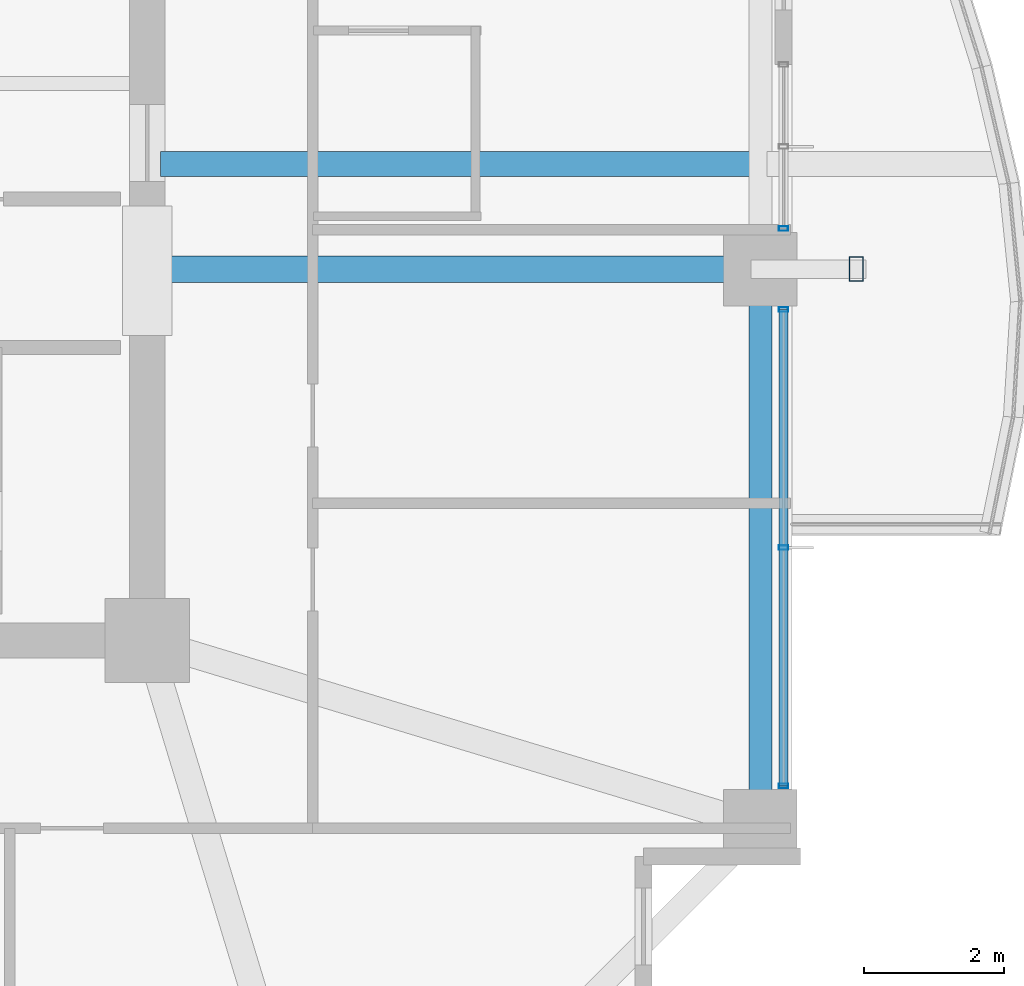
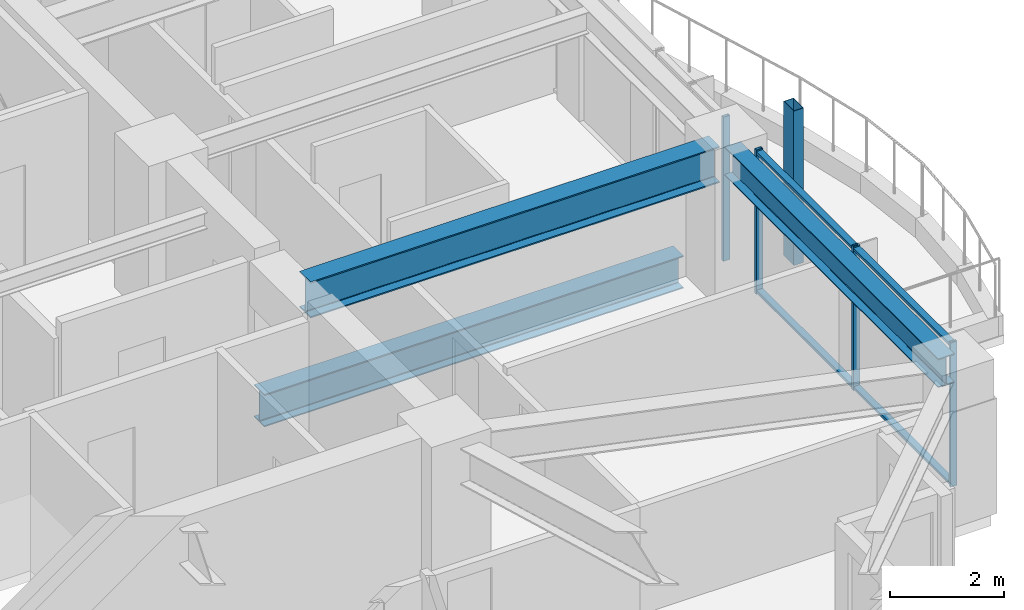
# One storey, part 14 of 35: 7 members, 3 beams, 2 elements without a shape of their own.
"""IFC4 building model written with IfcOpenShell, lengths in metres."""

import ifcopenshell
import ifcopenshell.guid

model = None  # the IFC model being written
_history = None  # IfcOwnerHistory: only IFC2X3 demands one
_inside = {}  # id of a spatial element -> (the spatial element, [elements in it])
_under = {}  # id of a project, library or spatial element -> (it, [spatial elements below it])
_declared = {}  # id of a project -> (the project, [libraries it declares])
_typed = {}  # id of a type object -> (the type object, [elements of that type])
_made_of = {}  # id of a material, layer set ... -> (it, [elements and type objects made of it])


def new_model(schema):
    """Start an empty IFC model of exactly this schema.

    Asked for "IFC4X3", IfcOpenShell would pick the latest addendum, in which some entities
    have other attributes; the version numbers below select the first issue.
    IFC2X3 requires an IfcOwnerHistory on every rooted entity: one is made here for all.
    """
    global model, _history
    if schema == "IFC4X3":
        model = ifcopenshell.file(schema_version=(4, 3, 0, 0))
    else:
        model = ifcopenshell.file(schema=schema)
    _inside.clear()
    _under.clear()
    _declared.clear()
    _typed.clear()
    _made_of.clear()
    _history = None
    if model.schema == "IFC2X3":
        org = make("IfcOrganization", Name="unknown")
        user = make(
            "IfcPersonAndOrganization",
            ThePerson=make("IfcPerson", FamilyName="unknown"),
            TheOrganization=org,
        )
        app = make(
            "IfcApplication",
            ApplicationDeveloper=org,
            Version="unknown",
            ApplicationFullName="unknown",
            ApplicationIdentifier="unknown",
        )
        _history = make(
            "IfcOwnerHistory",
            OwningUser=user,
            OwningApplication=app,
            ChangeAction="ADDED",
            CreationDate=0,
        )
    return model


def make(cls, **values):
    """One entity of the class cls with the attributes given. An attribute that is None is left unset."""
    return model.create_entity(
        cls, **{name: value for name, value in values.items() if value is not None}
    )


def rooted(cls, **values):
    """An entity with a GlobalId (a new one), such as an element, a storey or a relation."""
    return make(cls, GlobalId=ifcopenshell.guid.new(), OwnerHistory=_history, **values)


def si_unit(unit_type, name, prefix=None):
    """IfcSIUnit, for example si_unit("LENGTHUNIT", "METRE", prefix="MILLI")."""
    return make("IfcSIUnit", UnitType=unit_type, Prefix=prefix, Name=name)


def assignment(units):
    """IfcUnitAssignment: the units of a project."""
    return None if units is None else make("IfcUnitAssignment", Units=units)


def point(xyz):
    """IfcCartesianPoint."""
    return None if xyz is None else make("IfcCartesianPoint", Coordinates=xyz)


def direction(xyz):
    """IfcDirection."""
    return None if xyz is None else make("IfcDirection", DirectionRatios=xyz)


def frame(location, z_axis=None, x_axis=None):
    """IfcAxis2Placement3D, a coordinate frame: its origin and axes. An axis left out is left unset."""
    return make(
        "IfcAxis2Placement3D",
        Location=point(location),
        Axis=direction(z_axis),
        RefDirection=direction(x_axis),
    )


def frame_2d(location, x_axis=None):
    """IfcAxis2Placement2D, a coordinate frame in the plane: its origin and x axis."""
    return make(
        "IfcAxis2Placement2D", Location=point(location), RefDirection=direction(x_axis)
    )


def origin():
    """The frame at (0, 0, 0) with its axes left unset."""
    return frame((0.0, 0.0, 0.0))


def origin_2d():
    """The frame at (0, 0) in the plane with its x axis left unset."""
    return frame_2d((0.0, 0.0))


def place(relative_to, where):
    """IfcLocalPlacement: puts the frame where relative to a parent placement (None: the world)."""
    return make(
        "IfcLocalPlacement", PlacementRelTo=relative_to, RelativePlacement=where
    )


def context(
    kind, dimensions, precision=None, world=None, true_north=None, identifier=None
):
    """IfcGeometricRepresentationContext, for example the 3D "Model" context."""
    return make(
        "IfcGeometricRepresentationContext",
        ContextIdentifier=identifier,
        ContextType=kind,
        CoordinateSpaceDimension=dimensions,
        Precision=precision,
        WorldCoordinateSystem=world,
        TrueNorth=true_north,
    )


def subcontext(parent, identifier, kind, view, scale=None):
    """IfcGeometricRepresentationSubContext, for example "Body" below "Model"."""
    return make(
        "IfcGeometricRepresentationSubContext",
        ContextIdentifier=identifier,
        ContextType=kind,
        ParentContext=parent,
        TargetScale=scale,
        TargetView=view,
    )


def project(units=None, contexts=None):
    """IfcProject with its units and contexts."""
    return rooted(
        "IfcProject",
        Name="project",
        RepresentationContexts=contexts,
        UnitsInContext=assignment(units),
    )


def spatial(cls, under=None, at=None, **own):
    """A site, building, storey or space (cls), placed at a placement, below another one or the project."""
    s = rooted(cls, ObjectPlacement=at, **own)
    if under is not None:
        _under.setdefault(under.id(), (under, []))[1].append(s)
    return s


def profile(cls, at=None, kind="AREA", **sizes):
    """A parametric profile (cls). Its sizes go by their IFC names, for example OverallWidth=200.0."""
    return make(cls, ProfileType=kind, Position=at, **sizes)


def hollow_rectangle(**sizes):
    """IfcRectangleHollowProfileDef."""
    return profile("IfcRectangleHollowProfileDef", **sizes)


def i_section(**sizes):
    """IfcIShapeProfileDef."""
    return profile("IfcIShapeProfileDef", **sizes)


def extrude(swept, where, along, depth):
    """IfcExtrudedAreaSolid: the profile swept, set in the frame where, extruded along a direction by depth."""
    return make(
        "IfcExtrudedAreaSolid",
        SweptArea=swept,
        Position=where,
        ExtrudedDirection=direction(along),
        Depth=depth,
    )


def shape(context_of_items, identifier, shape_type, items):
    """IfcShapeRepresentation: the items that make up one representation, for example the "Body"."""
    return make(
        "IfcShapeRepresentation",
        ContextOfItems=context_of_items,
        RepresentationIdentifier=identifier,
        RepresentationType=shape_type,
        Items=items,
    )


def material(Name=None, Category=None):
    """IfcMaterial."""
    return make("IfcMaterial", Name=Name, Category=Category)


def material_profile(
    of_material, cross_section, Name=None, Category=None, Priority=None
):
    """IfcMaterialProfile: a cross section and its material."""
    return make(
        "IfcMaterialProfile",
        Name=Name,
        Material=of_material,
        Profile=cross_section,
        Priority=Priority,
        Category=Category,
    )


def profile_set(profiles, Name=None, composite=None):
    """IfcMaterialProfileSet."""
    return make(
        "IfcMaterialProfileSet",
        Name=Name,
        MaterialProfiles=profiles,
        CompositeProfile=composite,
    )


def made_of(thing, what):
    """Note that an element or type object is made of a material, layer set ...; save() writes the relation."""
    if what is not None:
        _made_of.setdefault(what.id(), (what, []))[1].append(thing)
    return thing


def type_object(cls, material=None, **own):
    """A type object (cls), such as IfcWallType, which elements share."""
    return made_of(rooted(cls, **own), material)


def element(
    cls,
    number,
    at=None,
    inside=None,
    cuts=None,
    type_object=None,
    material=None,
    context=None,
    identifier="Body",
    shape_type=None,
    held_by="IfcProductDefinitionShape",
    body=None,
    shapes=None,
    **own,
):
    """One element of the class cls, such as IfcWall. Its Tag is "e" and its number.

    at: its placement. inside: the storey or other place that contains it. cuts: it is an
    opening in that element (IfcRelVoidsElement). A single representation is given by context,
    identifier, shape_type and body (its items); several are given by shapes. held_by: the class
    of the entity that holds the representations. save() writes the other relations.
    """
    e = rooted(cls, Tag="e%d" % number, ObjectPlacement=at, **own)
    if body is not None:
        shapes = [shape(context, identifier, shape_type, body)]
    if shapes is not None:
        e.Representation = make(held_by, Representations=shapes)
    if inside is not None:
        _inside.setdefault(inside.id(), (inside, []))[1].append(e)
    if cuts is not None:
        rooted(
            "IfcRelVoidsElement", RelatingBuildingElement=cuts, RelatedOpeningElement=e
        )
    if type_object is not None:
        _typed.setdefault(type_object.id(), (type_object, []))[1].append(e)
    return made_of(e, material)


def aggregate(whole, parts):
    """IfcRelAggregates: a whole, such as a stair, and the parts it consists of."""
    return rooted("IfcRelAggregates", RelatingObject=whole, RelatedObjects=parts)


def save(model, path):
    """Write the relations noted so far, then the file.

    IfcRelAggregates (storeys below a building ...), IfcRelContainedInSpatialStructure (elements
    in a storey), IfcRelDefinesByType, IfcRelAssociatesMaterial and IfcRelDeclares: one each for
    every whole, place, type object, material and project.
    """
    for whole, parts in _under.values():
        aggregate(whole, parts)
    for where, things in _inside.values():
        rooted(
            "IfcRelContainedInSpatialStructure",
            RelatedElements=things,
            RelatingStructure=where,
        )
    for kind, things in _typed.values():
        rooted("IfcRelDefinesByType", RelatedObjects=things, RelatingType=kind)
    for what, things in _made_of.values():
        rooted("IfcRelAssociatesMaterial", RelatedObjects=things, RelatingMaterial=what)
    for by, libraries in _declared.values():
        rooted("IfcRelDeclares", RelatingContext=by, RelatedDefinitions=libraries)
    model.write(path)


model = new_model("IFC4")

# Units and contexts
model_context = context("Model", 3, precision=1e-05, world=origin(), true_north=direction((0.0, 1.0)))
body_context = subcontext(model_context, "Body", "Model", "MODEL_VIEW")
ifc_project = project(units=[si_unit("LENGTHUNIT", "METRE"), si_unit("AREAUNIT", "SQUARE_METRE"), si_unit("VOLUMEUNIT", "CUBIC_METRE"), si_unit("PLANEANGLEUNIT", "RADIAN"), si_unit("MASSUNIT", "GRAM", prefix="KILO")], contexts=[model_context])

# Site, building, storey
site_placement = place(None, origin())
site = spatial("IfcSite", under=ifc_project, at=site_placement, CompositionType="ELEMENT")
building_placement = place(site_placement, origin())
building = spatial("IfcBuilding", under=site, at=building_placement, Name="Kolvaren Belvedere", CompositionType="ELEMENT")
storey_placement = place(building_placement, frame((0.0, 0.0, 115.10009765625)))
storey = spatial("IfcBuildingStorey", under=building, at=storey_placement, Name="L33", CompositionType="ELEMENT", Elevation=115.10009765625)

# Beams
ifc_material_1 = material(Name="Structural steel ASTM A992 Grade 50", Category="steel")
ifc_material_profile_1 = material_profile(ifc_material_1, i_section(OverallWidth=0.35498046875, OverallDepth=0.696044921875, WebThickness=0.015380859375, FlangeThickness=0.02490234375, FilletRadius=0.02197265625, at=origin_2d()), Name="W27X146")
ifc_profile_set_1 = profile_set([ifc_material_profile_1], Name="Structural steel ASTM A992 Grade 50")
beam_type_1 = type_object("IfcBeamType", Name="BM-GIRD-W27X146", PredefinedType="BEAM", material=ifc_profile_set_1)
beam_1_placement = place(storey_placement, frame((10.090087890625, -3.10009765625, -0.568115234375), z_axis=(1.0, 0.0, 0.0), x_axis=(0.0, 1.0, 0.0)))
element("IfcBeam", 1, at=beam_1_placement, inside=storey, type_object=beam_type_1, Name="L33 Balcony Interior Back-Span Girder BAL-E-1", PredefinedType="BEAM", context=body_context, shape_type="SweptSolid", body=[
    extrude(i_section(OverallWidth=0.35498046875, OverallDepth=0.696044921875, WebThickness=0.015380859375, FlangeThickness=0.02490234375, FilletRadius=0.02197265625, at=origin_2d()), origin(), (0.0, 0.0, 1.0), 8.46484375),
])
ifc_material_2 = material(Name="Structural steel ASTM A992 Grade 50", Category="steel")
ifc_material_profile_2 = material_profile(ifc_material_2, i_section(OverallWidth=0.381103515625, OverallDepth=0.77294921875, WebThickness=0.0166015625, FlangeThickness=0.027099609375, FilletRadius=0.02392578125, at=origin_2d()), Name="W30X173")
ifc_profile_set_2 = profile_set([ifc_material_profile_2], Name="Structural steel ASTM A992 Grade 50")
beam_type_2 = type_object("IfcBeamType", Name="BM-GIRD-W30X173", PredefinedType="BEAM", material=ifc_profile_set_2)
beam_2_placement = place(storey_placement, frame((10.14990234375, -4.60009765625, 2.693359375), z_axis=(1.0, 0.0, 0.0), x_axis=(0.0, 1.0, 0.0)))
element("IfcBeam", 2, at=beam_2_placement, inside=storey, type_object=beam_type_2, Name="L33 East Radial Girder M", PredefinedType="BEAM", context=body_context, shape_type="SweptSolid", body=[
    extrude(i_section(OverallWidth=0.381103515625, OverallDepth=0.77294921875, WebThickness=0.0166015625, FlangeThickness=0.027099609375, FilletRadius=0.02392578125, at=origin_2d()), origin(), (0.0, 0.0, 1.0), 8.263916015625),
])
ifc_material_3 = material(Name="Structural steel ASTM A992 Grade 50", Category="steel")
ifc_material_profile_3 = material_profile(ifc_material_3, i_section(OverallWidth=0.324951171875, OverallDepth=0.615966796875, WebThickness=0.013916015625, FlangeThickness=0.021484375, FilletRadius=0.02001953125, at=origin_2d()), Name="W24X117")
ifc_profile_set_3 = profile_set([ifc_material_profile_3], Name="Structural steel ASTM A992 Grade 50")
beam_type_3 = type_object("IfcBeamType", Name="BM-SPAN-W24X117", PredefinedType="SPANDREL", material=ifc_profile_set_3)
beam_3_placement = place(storey_placement, frame((18.64990234375, -12.313720703125, 2.77197265625), z_axis=(0.0, 1.0, 0.0), x_axis=(-1.0, 0.0, 0.0)))
element("IfcBeam", 3, at=beam_3_placement, inside=storey, type_object=beam_type_3, Name="L33 Perimeter Spandrel E1-E2", PredefinedType="SPANDREL", context=body_context, shape_type="SweptSolid", body=[
    extrude(i_section(OverallWidth=0.324951171875, OverallDepth=0.615966796875, WebThickness=0.013916015625, FlangeThickness=0.021484375, FilletRadius=0.02001953125, at=origin_2d()), origin(), (0.0, 0.0, 1.0), 7.4775390625),
])

# Curtain wall, member
ifc_material_4 = material(Name="Anodised pale-metal aluminium AA 6063-T6", Category="aluminium")
curtain_wall_type = type_object("IfcCurtainWallType", Name="CW-Z3-WAIST", PredefinedType="NOTDEFINED", material=ifc_material_4)
curtain_wall_1_placement = place(storey_placement, origin())
curtain_wall_1 = element("IfcCurtainWall", 4, at=curtain_wall_1_placement, inside=storey, type_object=curtain_wall_type, Name="L33 Unitised Curtain Wall FCW-L33-E2-B1", PredefinedType="NOTDEFINED")
ifc_material_5 = material(Name="Anodised pale-metal aluminium AA 6063-T6", Category="aluminium")
ifc_material_profile_4 = material_profile(ifc_material_5, hollow_rectangle(XDim=0.06494140625, YDim=0.1298828125, WallThickness=0.00390625, at=origin_2d()), Name="ALU-MUL-130X65")
ifc_profile_set_4 = profile_set([ifc_material_profile_4], Name="Anodised pale-metal aluminium AA 6063-T6")
member_type_1 = type_object("IfcMemberType", Name="CW-MUL-130", PredefinedType="MULLION", material=ifc_profile_set_4)
member_1_placement = place(storey_placement, frame((18.97998046875, -4.0224609375, 0.0), z_axis=(0.0, 0.0, 1.0), x_axis=(0.0, 1.0, 0.0)))
member_1 = element("IfcMember", 5, at=member_1_placement, type_object=member_type_1, Name="FCW-L33-E2-B1 Unitised Mullion 3", PredefinedType="MULLION", context=body_context, shape_type="SweptSolid", body=[
    extrude(hollow_rectangle(XDim=0.06494140625, YDim=0.1298828125, WallThickness=0.00390625, at=origin_2d()), origin(), (0.0, 0.0, 1.0), 3.079833984375),
])
aggregate(curtain_wall_1, [member_1])

# Curtain wall, members
curtain_wall_2_placement = place(storey_placement, origin())
curtain_wall_2 = element("IfcCurtainWall", 6, at=curtain_wall_2_placement, inside=storey, type_object=curtain_wall_type, Name="L33 Unitised Curtain Wall FCW-L33-E2-B2", PredefinedType="NOTDEFINED")
member_2_placement = place(storey_placement, frame((18.97998046875, -5.177490234375, 0.0), z_axis=(0.0, 0.0, 1.0), x_axis=(0.0, 1.0, 0.0)))
member_2 = element("IfcMember", 7, at=member_2_placement, type_object=member_type_1, Name="FCW-L33-E2-B2 Unitised Mullion 1", PredefinedType="MULLION", context=body_context, shape_type="SweptSolid", body=[
    extrude(hollow_rectangle(XDim=0.06494140625, YDim=0.1298828125, WallThickness=0.00390625, at=origin_2d()), origin(), (0.0, 0.0, 1.0), 3.079833984375),
])
member_3_placement = place(storey_placement, frame((18.97998046875, -8.574951171875, 0.0), z_axis=(0.0, 0.0, 1.0), x_axis=(0.0, 1.0, 0.0)))
member_3 = element("IfcMember", 8, at=member_3_placement, type_object=member_type_1, Name="FCW-L33-E2-B2 Unitised Mullion 2", PredefinedType="MULLION", context=body_context, shape_type="SweptSolid", body=[
    extrude(hollow_rectangle(XDim=0.06494140625, YDim=0.1298828125, WallThickness=0.00390625, at=origin_2d()), origin(), (0.0, 0.0, 1.0), 3.079833984375),
])
member_4_placement = place(storey_placement, frame((18.97998046875, -11.972412109375, 0.0), z_axis=(0.0, 0.0, 1.0), x_axis=(0.0, 1.0, 0.0)))
member_4 = element("IfcMember", 9, at=member_4_placement, type_object=member_type_1, Name="FCW-L33-E2-B2 Unitised Mullion 3", PredefinedType="MULLION", context=body_context, shape_type="SweptSolid", body=[
    extrude(hollow_rectangle(XDim=0.06494140625, YDim=0.1298828125, WallThickness=0.00390625, at=origin_2d()), origin(), (0.0, 0.0, 1.0), 3.079833984375),
])
ifc_material_6 = material(Name="Anodised pale-metal aluminium AA 6063-T6", Category="aluminium")
ifc_material_profile_5 = material_profile(ifc_material_6, hollow_rectangle(XDim=0.06005859375, YDim=0.1298828125, WallThickness=0.00390625, at=origin_2d()), Name="ALU-TRN-130X60")
ifc_profile_set_5 = profile_set([ifc_material_profile_5], Name="Anodised pale-metal aluminium AA 6063-T6")
member_type_2 = type_object("IfcMemberType", Name="CW-TRN-130", PredefinedType="USERDEFINED", material=ifc_profile_set_5)
member_5_placement = place(storey_placement, frame((18.97998046875, -5.177490234375, 0.059814453125), z_axis=(0.0, -1.0, 0.0), x_axis=(0.0, 0.0, 1.0)))
member_5 = element("IfcMember", 10, at=member_5_placement, type_object=member_type_2, Name="FCW-L33-E2-B2 Sill Transom", ObjectType="TRANSOM", PredefinedType="USERDEFINED", context=body_context, shape_type="SweptSolid", body=[
    extrude(hollow_rectangle(XDim=0.06005859375, YDim=0.1298828125, WallThickness=0.00390625, at=origin_2d()), origin(), (0.0, 0.0, 1.0), 6.794921875),
])
member_6_placement = place(storey_placement, frame((18.97998046875, -5.177490234375, 3.02001953125), z_axis=(0.0, -1.0, 0.0), x_axis=(0.0, 0.0, 1.0)))
member_6 = element("IfcMember", 11, at=member_6_placement, type_object=member_type_2, Name="FCW-L33-E2-B2 Head Transom", ObjectType="TRANSOM", PredefinedType="USERDEFINED", context=body_context, shape_type="SweptSolid", body=[
    extrude(hollow_rectangle(XDim=0.06005859375, YDim=0.1298828125, WallThickness=0.00390625, at=origin_2d()), origin(), (0.0, 0.0, 1.0), 6.794921875),
])
aggregate(curtain_wall_2, [member_2, member_3, member_4, member_5, member_6])

# Member
ifc_material_7 = material(Name="Anodised pale-metal aluminium AA 6063-T6", Category="aluminium")
ifc_material_profile_6 = material_profile(ifc_material_7, hollow_rectangle(XDim=0.199951171875, YDim=0.35009765625, WallThickness=0.007568359375, at=origin_2d()), Name="ALU-PF-350X200")
ifc_profile_set_6 = profile_set([ifc_material_profile_6], Name="Anodised pale-metal aluminium AA 6063-T6")
member_type_3 = type_object("IfcMemberType", Name="PF-FRAME-350", PredefinedType="USERDEFINED", material=ifc_profile_set_6)
member_7_placement = place(storey_placement, frame((20.02001953125, -4.60009765625, 0.0), z_axis=(0.0, 0.0, 1.0), x_axis=(1.0, 0.0, 0.0)))
element("IfcMember", 12, at=member_7_placement, inside=storey, type_object=member_type_3, Name="L33 Outboard Picture-Frame Vertical E2", ObjectType="PICTURE FRAME FIN", PredefinedType="USERDEFINED", context=body_context, shape_type="SweptSolid", body=[
    extrude(hollow_rectangle(XDim=0.199951171875, YDim=0.35009765625, WallThickness=0.007568359375, at=origin_2d()), origin(), (0.0, 0.0, 1.0), 3.2998046875),
])

save(model, "model.ifc")
